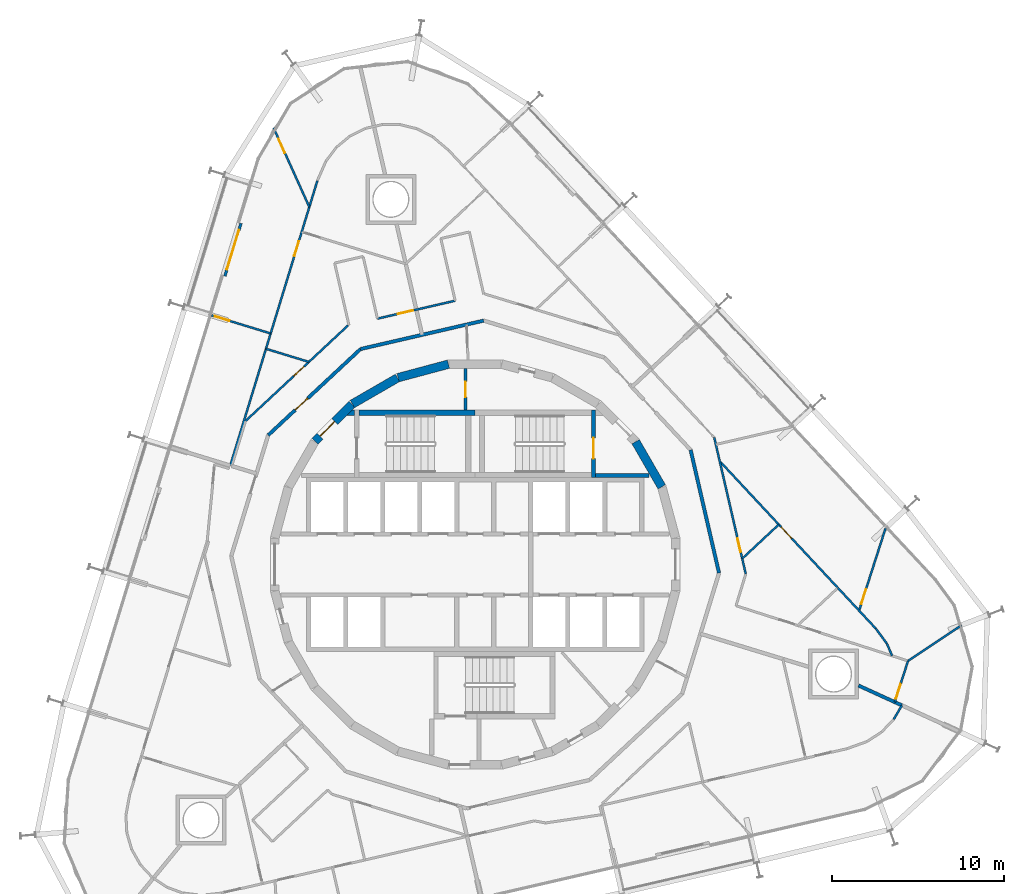
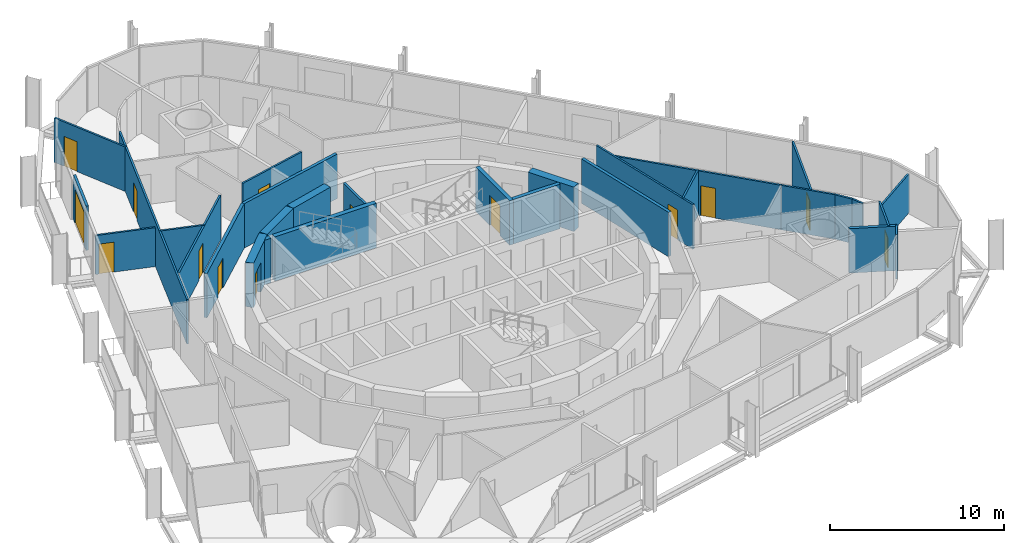
# One storey, part 15 of 18: 30 walls, 14 doors, 14 openings.
"""IFC4 building model written with IfcOpenShell, lengths in metres."""

from ifc_helpers import new_model, si_unit, direction, frame, frame_2d, origin, place, context, subcontext, project, spatial, polyline, rectangle, outline, extrude, material, layer, layer_set, type_object, element, fill, save


model = new_model("IFC4")

# Units and contexts
model_context = context("Model", 3, precision=1e-05, world=origin(), true_north=direction((0.0, 1.0)))
body_context = subcontext(model_context, "Body", "Model", "MODEL_VIEW")
ifc_project = project(units=[si_unit("LENGTHUNIT", "METRE"), si_unit("AREAUNIT", "SQUARE_METRE"), si_unit("VOLUMEUNIT", "CUBIC_METRE"), si_unit("PLANEANGLEUNIT", "RADIAN"), si_unit("MASSUNIT", "GRAM", prefix="KILO")], contexts=[model_context])

# Site, building, storey
site_placement = place(None, origin())
site = spatial("IfcSite", under=ifc_project, at=site_placement, CompositionType="ELEMENT")
building_placement = place(site_placement, origin())
building = spatial("IfcBuilding", under=site, at=building_placement, Name="Spindle Arch Residences", CompositionType="ELEMENT")
storey_placement = place(building_placement, frame((0.0, 0.0, 120.39990234375)))
storey = spatial("IfcBuildingStorey", under=building, at=storey_placement, Name="L29", CompositionType="ELEMENT", Elevation=120.39990234375)

# Walls
ifc_material_1 = material(Name="Concrete C50/60", Category="concrete")
ifc_layer_1 = layer(ifc_material_1, 0.5)
ifc_layer_set_1 = layer_set([ifc_layer_1], Name="Core outline wall 500")
wall_type_1 = type_object("IfcWallType", Name="Core outline wall 500", PredefinedType="SHEAR", material=ifc_layer_set_1)
for number, where, z_axis, x_axis, name in (
    (1, (10.84521484375, 4.510498046875, 0.0), (0.0, 0.0, 1.0), (-0.500087131594, 0.865975092491, 0.0), "Core outline wall 8"),
    (2, (-1.5498046875, 11.642822265625, 0.0), (0.0, 0.0, 1.0), (-0.965948410781, -0.258734743916, 0.0), "Core outline wall 13"),
    (3, (-4.510498046875, 10.84521484375, 0.0), (0.0, 0.0, 1.0), (-0.865975092491, -0.500087131594, 0.0), "Core outline wall 14"),
):
    element("IfcWall", number, at=place(storey_placement, frame(where, z_axis=z_axis, x_axis=x_axis)), inside=storey, type_object=wall_type_1, Name=name, PredefinedType="SHEAR", context=body_context, shape_type="SweptSolid", body=[
        extrude(rectangle(XDim=3.03271484375, YDim=0.5, at=frame_2d((1.516357421875, 0.0))), origin(), (0.0, 0.0, 1.0), 3.1201171875),
    ])

# Wall, opening, door
wall_1_placement = place(storey_placement, frame((-7.163818359375, 9.30810546875, 0.0), z_axis=(0.0, 0.0, 1.0), x_axis=(-0.707106781187, -0.707106781187, 0.0)))
wall_1 = element("IfcWall", 4, at=wall_1_placement, inside=storey, type_object=wall_type_1, Name="Core outline wall 15", PredefinedType="SHEAR", context=body_context, shape_type="SweptSolid", body=[
    extrude(rectangle(XDim=3.032470703125, YDim=0.5, at=frame_2d((1.51611328125, 0.0))), origin(), (0.0, 0.0, 1.0), 3.1201171875),
])
opening_1_placement = place(wall_1_placement, frame((1.416259765625, 0.0, 0.0)))
opening_1 = element("IfcOpeningElement", 5, at=opening_1_placement, cuts=wall_1, Name="Opening R3A0-AD02", PredefinedType="OPENING", context=body_context, shape_type="SweptSolid", body=[
    extrude(rectangle(XDim=1.199951171875, YDim=2.10009765625, at=frame_2d((0.60009765625, 1.050048828125))), frame((0.0, 0.260009765625, 0.0), z_axis=(0.0, -1.0, 0.0), x_axis=(1.0, 0.0, 0.0)), (0.0, 0.0, 1.0), 0.52001953125),
])
ifc_material_2 = material(Name="Steel, fire-resisting door", Category="steel")
door_type_1 = type_object("IfcDoorType", Name="Stair airlock door 1200x2100", OperationType="SINGLE_SWING_LEFT", PredefinedType="DOOR", material=ifc_material_2)
door_1_placement = place(opening_1_placement, origin())
door_1 = element("IfcDoor", 6, at=door_1_placement, inside=storey, type_object=door_type_1, Name="Stair airlock door R3A0-AD02", OperationType="SINGLE_SWING_RIGHT", OverallHeight=2.10009765625, OverallWidth=1.199951171875, PredefinedType="DOOR", context=body_context, shape_type="SweptSolid", body=[
    extrude(rectangle(XDim=1.199951171875, YDim=2.10009765625, at=frame_2d((0.60009765625, 1.050048828125))), frame((0.0, 0.02490234375, 0.0), z_axis=(0.0, -1.0, 0.0), x_axis=(1.0, 0.0, 0.0)), (0.0, 0.0, 1.0), 0.050048828125),
])
fill(opening_1, door_1)

# Walls
ifc_material_3 = material(Name="Calcium silicate block, plastered")
ifc_layer_2 = layer(ifc_material_3, 0.199951171875)
ifc_layer_set_2 = layer_set([ifc_layer_2], Name="Corridor wall 200")
wall_type_2 = type_object("IfcWallType", Name="Corridor wall 200", PredefinedType="STANDARD", material=ifc_layer_set_2)
for number, where, z_axis, x_axis, name in (
    (7, (14.174560546875, -0.4951171875, 0.0), (0.0, 0.0, 1.0), (-0.224922649383, 0.974376622151, 0.0), "Corridor wall R3A0-W005"),
    (8, (0.4951171875, 14.174560546875, 0.0), (0.0, 0.0, 1.0), (-0.974376622151, -0.224922649383, 0.0), "Corridor wall R3A0-W008"),
):
    element("IfcWall", number, at=place(storey_placement, frame(where, z_axis=z_axis, x_axis=x_axis)), inside=storey, type_object=wall_type_2, Name=name, PredefinedType="STANDARD", context=body_context, shape_type="SweptSolid", body=[
        extrude(rectangle(XDim=7.342041015625, YDim=0.199951171875, at=frame_2d((3.6708984375, 0.0))), origin(), (0.0, 0.0, 1.0), 3.1201171875),
    ])

# Wall, opening, door
wall_2_placement = place(storey_placement, frame((-6.65869140625, 12.523193359375, 0.0), z_axis=(0.0, 0.0, 1.0), x_axis=(-0.731350455479, -0.682001841105, 0.0)))
wall_2 = element("IfcWall", 9, at=wall_2_placement, inside=storey, type_object=wall_type_2, Name="Corridor wall R3A0-W009", PredefinedType="STANDARD", context=body_context, shape_type="SweptSolid", body=[
    extrude(rectangle(XDim=7.341796875, YDim=0.199951171875, at=frame_2d((3.6708984375, 0.0))), origin(), (0.0, 0.0, 1.0), 3.1201171875),
])
opening_2_placement = place(wall_2_placement, frame((4.199951171875, 0.0, 0.0)))
opening_2 = element("IfcOpeningElement", 10, at=opening_2_placement, cuts=wall_2, Name="Opening R3A0-FD03", PredefinedType="OPENING", context=body_context, shape_type="SweptSolid", body=[
    extrude(rectangle(XDim=1.0, YDim=2.10009765625, at=frame_2d((0.5, 1.050048828125))), frame((0.0, 0.10986328125, 0.0), z_axis=(0.0, -1.0, 0.0), x_axis=(1.0, 0.0, 0.0)), (0.0, 0.0, 1.0), 0.219970703125),
])
ifc_material_4 = material(Name="Timber, fire-resisting door set", Category="wood")
door_type_2 = type_object("IfcDoorType", Name="Flat entrance door 1000x2100", OperationType="NOTDEFINED", PredefinedType="DOOR", material=ifc_material_4)
door_2_placement = place(opening_2_placement, origin())
door_2 = element("IfcDoor", 11, at=door_2_placement, inside=storey, type_object=door_type_2, Name="Flat entrance door R3A0-FD03", OperationType="SINGLE_SWING_LEFT", OverallHeight=2.10009765625, OverallWidth=1.0, PredefinedType="DOOR", context=body_context, shape_type="SweptSolid", body=[
    extrude(rectangle(XDim=1.0, YDim=2.10009765625, at=frame_2d((0.5, 1.050048828125))), frame((0.0, 0.02490234375, 0.0), z_axis=(0.0, -1.0, 0.0), x_axis=(1.0, 0.0, 0.0)), (0.0, 0.0, 1.0), 0.050048828125),
])
fill(opening_2, door_2)

ifc_material_5 = material(Name="Plasterboard on steel studs", Category="steel")
ifc_layer_3 = layer(ifc_material_5, 0.1201171875)
ifc_layer_set_3 = layer_set([ifc_layer_3], Name="Flat partition 120")
wall_type_3 = type_object("IfcWallType", Name="Flat partition 120", PredefinedType="PARTITIONING", material=ifc_layer_set_3)
wall_3_placement = place(storey_placement, frame((15.7265625, -0.54931640625, 0.0), z_axis=(0.0, 0.0, 1.0), x_axis=(-0.22493611855, 0.974373512864, 0.0)))
wall_3 = element("IfcWall", 12, at=wall_3_placement, inside=storey, type_object=wall_type_3, Name="Flat partition R3A0-W030", PredefinedType="PARTITIONING", context=body_context, shape_type="SweptSolid", body=[
    extrude(rectangle(XDim=8.145751953125, YDim=0.1201171875, at=frame_2d((4.07275390625, 0.0))), origin(), (0.0, 0.0, 1.0), 3.1201171875),
])
opening_3_placement = place(wall_3_placement, frame((1.313720703125, 0.0, 0.0)))
opening_3 = element("IfcOpeningElement", 13, at=opening_3_placement, cuts=wall_3, Name="Opening R3A0-BD01", PredefinedType="OPENING", context=body_context, shape_type="SweptSolid", body=[
    extrude(rectangle(XDim=0.800048828125, YDim=2.10009765625, at=frame_2d((0.39990234375, 1.050048828125))), frame((0.0, 0.070068359375, 0.0), z_axis=(0.0, -1.0, 0.0), x_axis=(1.0, 0.0, 0.0)), (0.0, 0.0, 1.0), 0.14013671875),
])
ifc_material_6 = material(Name="Timber door set", Category="wood")
door_type_3 = type_object("IfcDoorType", Name="Bathroom door 800x2100", OperationType="NOTDEFINED", PredefinedType="DOOR", material=ifc_material_6)
door_3_placement = place(opening_3_placement, origin())
door_3 = element("IfcDoor", 14, at=door_3_placement, inside=storey, type_object=door_type_3, Name="Bathroom door R3A0-BD01", OperationType="SINGLE_SWING_LEFT", OverallHeight=2.10009765625, OverallWidth=0.800048828125, PredefinedType="DOOR", context=body_context, shape_type="SweptSolid", body=[
    extrude(rectangle(XDim=0.800048828125, YDim=2.10009765625, at=frame_2d((0.39990234375, 1.050048828125))), frame((0.0, 0.02490234375, 0.0), z_axis=(0.0, -1.0, 0.0), x_axis=(1.0, 0.0, 0.0)), (0.0, 0.0, 1.0), 0.050048828125),
])
fill(opening_3, door_3)

wall_4_placement = place(storey_placement, frame((24.388916015625, -7.997314453125, 0.0), z_axis=(0.0, 0.0, 1.0), x_axis=(0.305723184389, 0.952120441188, 0.0)))
wall_4 = element("IfcWall", 15, at=wall_4_placement, inside=storey, type_object=wall_type_3, Name="Flat partition R3A0-W032", PredefinedType="PARTITIONING", context=body_context, shape_type="SweptSolid", body=[
    extrude(rectangle(XDim=2.5146484375, YDim=0.1201171875, at=frame_2d((1.25732421875, 0.0))), origin(), (0.0, 0.0, 1.0), 3.1201171875),
])
opening_4_placement = place(wall_4_placement, frame((0.199951171875, 0.0, 0.0)))
opening_4 = element("IfcOpeningElement", 16, at=opening_4_placement, cuts=wall_4, Name="Opening R3A0-ID02", PredefinedType="OPENING", context=body_context, shape_type="SweptSolid", body=[
    extrude(rectangle(XDim=0.89990234375, YDim=2.10009765625, at=frame_2d((0.449951171875, 1.050048828125))), frame((0.0, 0.070068359375, 0.0), z_axis=(0.0, -1.0, 0.0), x_axis=(1.0, 0.0, 0.0)), (0.0, 0.0, 1.0), 0.14013671875),
])
ifc_material_7 = material(Name="Timber door set", Category="wood")
door_type_4 = type_object("IfcDoorType", Name="Room door 900x2100", OperationType="NOTDEFINED", PredefinedType="DOOR", material=ifc_material_7)
door_4_placement = place(opening_4_placement, origin())
door_4 = element("IfcDoor", 17, at=door_4_placement, inside=storey, type_object=door_type_4, Name="Room door R3A0-ID02", OperationType="SINGLE_SWING_LEFT", OverallHeight=2.10009765625, OverallWidth=0.89990234375, PredefinedType="DOOR", context=body_context, shape_type="SweptSolid", body=[
    extrude(rectangle(XDim=0.89990234375, YDim=2.10009765625, at=frame_2d((0.449951171875, 1.050048828125))), frame((0.0, 0.02490234375, 0.0), z_axis=(0.0, -1.0, 0.0), x_axis=(1.0, 0.0, 0.0)), (0.0, 0.0, 1.0), 0.050048828125),
])
fill(opening_4, door_4)

wall_5_placement = place(storey_placement, frame((14.21337890625, 6.005859375, 0.0), z_axis=(0.0, 0.0, 1.0), x_axis=(0.681982148724, -0.731368818601, 0.0)))
wall_5 = element("IfcWall", 18, at=wall_5_placement, inside=storey, type_object=wall_type_3, Name="Flat partition R3A0-W035", PredefinedType="PARTITIONING", context=body_context, shape_type="SweptSolid", body=[
    extrude(rectangle(XDim=10.06982421875, YDim=0.1201171875, at=frame_2d((5.034912109375, 0.0))), origin(), (0.0, 0.0, 1.0), 3.1201171875),
])
opening_5_placement = place(wall_5_placement, frame((5.235107421875, 0.0, 0.0)))
opening_5 = element("IfcOpeningElement", 19, at=opening_5_placement, cuts=wall_5, Name="Opening R3A0-ID04", PredefinedType="OPENING", context=body_context, shape_type="SweptSolid", body=[
    extrude(rectangle(XDim=0.89990234375, YDim=2.10009765625, at=frame_2d((0.449951171875, 1.050048828125))), frame((0.0, 0.070068359375, 0.0), z_axis=(0.0, -1.0, 0.0), x_axis=(1.0, 0.0, 0.0)), (0.0, 0.0, 1.0), 0.14013671875),
])
door_5_placement = place(opening_5_placement, origin())
door_5 = element("IfcDoor", 20, at=door_5_placement, inside=storey, type_object=door_type_4, Name="Room door R3A0-ID04", OperationType="SINGLE_SWING_LEFT", OverallHeight=2.10009765625, OverallWidth=0.89990234375, PredefinedType="DOOR", context=body_context, shape_type="SweptSolid", body=[
    extrude(rectangle(XDim=0.89990234375, YDim=2.10009765625, at=frame_2d((0.449951171875, 1.050048828125))), frame((0.0, 0.02490234375, 0.0), z_axis=(0.0, -1.0, 0.0), x_axis=(1.0, 0.0, 0.0)), (0.0, 0.0, 1.0), 0.050048828125),
])
fill(opening_5, door_5)

# Wall
wall_6_placement = place(storey_placement, frame((21.080810546875, -1.35888671875, 0.0), z_axis=(0.0, 0.0, 1.0), x_axis=(0.682046729342, -0.731308593545, 0.0)))
element("IfcWall", 21, at=wall_6_placement, inside=storey, type_object=wall_type_3, Name="Flat partition R3A0-W037", PredefinedType="PARTITIONING", context=body_context, shape_type="SweptSolid", body=[
    extrude(rectangle(XDim=3.236328125, YDim=0.1201171875, at=frame_2d((1.6181640625, 0.0))), origin(), (0.0, 0.0, 1.0), 3.1201171875),
])

# Wall, opening, door
wall_7_placement = place(storey_placement, frame((22.314453125, -2.681396484375, 0.0), z_axis=(0.0, 0.0, 1.0), x_axis=(0.305629733216, 0.952150443036, 0.0)))
wall_7 = element("IfcWall", 22, at=wall_7_placement, inside=storey, type_object=wall_type_3, Name="Flat partition R3A0-W038", PredefinedType="PARTITIONING", context=body_context, shape_type="SweptSolid", body=[
    extrude(rectangle(XDim=5.04052734375, YDim=0.1201171875, at=frame_2d((2.520263671875, 0.0))), origin(), (0.0, 0.0, 1.0), 3.1201171875),
])
opening_6_placement = place(wall_7_placement, frame((0.39990234375, 0.0, 0.0)))
opening_6 = element("IfcOpeningElement", 23, at=opening_6_placement, cuts=wall_7, Name="Opening R3A0-ID05", PredefinedType="OPENING", context=body_context, shape_type="SweptSolid", body=[
    extrude(rectangle(XDim=0.89990234375, YDim=2.10009765625, at=frame_2d((0.449951171875, 1.050048828125))), frame((0.0, 0.070068359375, 0.0), z_axis=(0.0, -1.0, 0.0), x_axis=(1.0, 0.0, 0.0)), (0.0, 0.0, 1.0), 0.14013671875),
])
door_6_placement = place(opening_6_placement, origin())
door_6 = element("IfcDoor", 24, at=door_6_placement, inside=storey, type_object=door_type_4, Name="Room door R3A0-ID05", OperationType="SINGLE_SWING_LEFT", OverallHeight=2.10009765625, OverallWidth=0.89990234375, PredefinedType="DOOR", context=body_context, shape_type="SweptSolid", body=[
    extrude(rectangle(XDim=0.89990234375, YDim=2.10009765625, at=frame_2d((0.449951171875, 1.050048828125))), frame((0.0, 0.02490234375, 0.0), z_axis=(0.0, -1.0, 0.0), x_axis=(1.0, 0.0, 0.0)), (0.0, 0.0, 1.0), 0.050048828125),
])
fill(opening_6, door_6)

# Walls
wall_8_placement = place(storey_placement, frame((15.52099609375, 0.341064453125, 0.0), z_axis=(0.0, 0.0, 1.0), x_axis=(0.73140706136, 0.681941134257, 0.0)))
element("IfcWall", 25, at=wall_8_placement, inside=storey, type_object=wall_type_3, Name="Flat partition R3A0-W039", PredefinedType="PARTITIONING", context=body_context, shape_type="SweptSolid", body=[
    extrude(rectangle(XDim=2.906982421875, YDim=0.1201171875, at=frame_2d((1.45361328125, 0.0))), origin(), (0.0, 0.0, 1.0), 3.1201171875),
])
wall_9_placement = place(storey_placement, frame((24.231201171875, -5.3056640625, 0.0), z_axis=(0.0, 0.0, 1.0), x_axis=(-0.390836600732, 0.92046007601, 0.0)))
element("IfcWall", 26, at=wall_9_placement, inside=storey, type_object=wall_type_3, Name="Flat partition R3A0-W041", PredefinedType="PARTITIONING", context=body_context, shape_type="SweptSolid", body=[
    extrude(rectangle(XDim=0.76513671875, YDim=0.1201171875, at=frame_2d((0.382568359375, 0.0))), origin(), (0.0, 0.0, 1.0), 3.1201171875),
])
wall_10_placement = place(storey_placement, frame((23.93212890625, -4.601318359375, 0.0), z_axis=(0.0, 0.0, 1.0), x_axis=(-0.592463335142, 0.805597415904, 0.0)))
element("IfcWall", 27, at=wall_10_placement, inside=storey, type_object=wall_type_3, Name="Flat partition R3A0-W042", PredefinedType="PARTITIONING", context=body_context, shape_type="SweptSolid", body=[
    extrude(rectangle(XDim=1.087158203125, YDim=0.1201171875, at=frame_2d((0.54345703125, 0.0))), origin(), (0.0, 0.0, 1.0), 3.1201171875),
])

# Wall, opening, door
wall_11_placement = place(storey_placement, frame((-1.16064453125, 15.331787109375, 0.0), z_axis=(0.0, 0.0, 1.0), x_axis=(-0.974373440078, -0.224936433845, 0.0)))
wall_11 = element("IfcWall", 28, at=wall_11_placement, inside=storey, type_object=wall_type_3, Name="Flat partition R3A0-W048", PredefinedType="PARTITIONING", context=body_context, shape_type="SweptSolid", body=[
    extrude(rectangle(XDim=4.6357421875, YDim=0.1201171875, at=frame_2d((2.31787109375, 0.0))), origin(), (0.0, 0.0, 1.0), 3.1201171875),
])
opening_7_placement = place(wall_11_placement, frame((2.51806640625, 0.0, 0.0)))
opening_7 = element("IfcOpeningElement", 29, at=opening_7_placement, cuts=wall_11, Name="Opening R3A0-ID12", PredefinedType="OPENING", context=body_context, shape_type="SweptSolid", body=[
    extrude(rectangle(XDim=0.89990234375, YDim=2.10009765625, at=frame_2d((0.449951171875, 1.050048828125))), frame((0.0, 0.070068359375, 0.0), z_axis=(0.0, -1.0, 0.0), x_axis=(1.0, 0.0, 0.0)), (0.0, 0.0, 1.0), 0.14013671875),
])
door_7_placement = place(opening_7_placement, origin())
door_7 = element("IfcDoor", 30, at=door_7_placement, inside=storey, type_object=door_type_4, Name="Room door R3A0-ID12", OperationType="SINGLE_SWING_LEFT", OverallHeight=2.10009765625, OverallWidth=0.89990234375, PredefinedType="DOOR", context=body_context, shape_type="SweptSolid", body=[
    extrude(rectangle(XDim=0.89990234375, YDim=2.10009765625, at=frame_2d((0.449951171875, 1.050048828125))), frame((0.0, 0.02490234375, 0.0), z_axis=(0.0, -1.0, 0.0), x_axis=(1.0, 0.0, 0.0)), (0.0, 0.0, 1.0), 0.050048828125),
])
fill(opening_7, door_7)

wall_12_placement = place(storey_placement, frame((-7.3876953125, 13.894287109375, 0.0), z_axis=(0.0, 0.0, 1.0), x_axis=(-0.731357186721, -0.681994622729, 0.0)))
wall_12 = element("IfcWall", 31, at=wall_12_placement, inside=storey, type_object=wall_type_3, Name="Flat partition R3A0-W062", PredefinedType="PARTITIONING", context=body_context, shape_type="SweptSolid", body=[
    extrude(rectangle(XDim=8.145751953125, YDim=0.1201171875, at=frame_2d((4.07275390625, 0.0))), origin(), (0.0, 0.0, 1.0), 3.1201171875),
])
opening_8_placement = place(wall_12_placement, frame((3.509033203125, 0.0, 0.0)))
opening_8 = element("IfcOpeningElement", 32, at=opening_8_placement, cuts=wall_12, Name="Opening R3A0-BD04", PredefinedType="OPENING", context=body_context, shape_type="SweptSolid", body=[
    extrude(rectangle(XDim=0.800048828125, YDim=2.10009765625, at=frame_2d((0.39990234375, 1.050048828125))), frame((0.0, 0.070068359375, 0.0), z_axis=(0.0, -1.0, 0.0), x_axis=(1.0, 0.0, 0.0)), (0.0, 0.0, 1.0), 0.14013671875),
])
door_8_placement = place(opening_8_placement, origin())
door_8 = element("IfcDoor", 33, at=door_8_placement, inside=storey, type_object=door_type_3, Name="Bathroom door R3A0-BD04", OperationType="SINGLE_SWING_LEFT", OverallHeight=2.10009765625, OverallWidth=0.800048828125, PredefinedType="DOOR", context=body_context, shape_type="SweptSolid", body=[
    extrude(rectangle(XDim=0.800048828125, YDim=2.10009765625, at=frame_2d((0.39990234375, 1.050048828125))), frame((0.0, 0.02490234375, 0.0), z_axis=(0.0, -1.0, 0.0), x_axis=(1.0, 0.0, 0.0)), (0.0, 0.0, 1.0), 0.050048828125),
])
fill(opening_8, door_8)

wall_13_placement = place(storey_placement, frame((-9.1689453125, 22.3095703125, 0.0), z_axis=(0.0, 0.0, 1.0), x_axis=(-0.29236145486, -0.956307889601, 0.0)))
wall_13 = element("IfcWall", 34, at=wall_13_placement, inside=storey, type_object=wall_type_3, Name="Flat partition R3A0-W068", PredefinedType="PARTITIONING", context=body_context, shape_type="SweptSolid", body=[
    extrude(rectangle(XDim=17.31591796875, YDim=0.1201171875, at=frame_2d((8.657958984375, 0.0))), origin(), (0.0, 0.0, 1.0), 3.1201171875),
])
opening_9_placement = place(wall_13_placement, frame((3.68310546875, 0.0, 0.0)))
opening_9 = element("IfcOpeningElement", 35, at=opening_9_placement, cuts=wall_13, Name="Opening R3A0-ID14", PredefinedType="OPENING", context=body_context, shape_type="SweptSolid", body=[
    extrude(rectangle(XDim=0.89990234375, YDim=2.10009765625, at=frame_2d((0.449951171875, 1.050048828125))), frame((0.0, 0.070068359375, 0.0), z_axis=(0.0, -1.0, 0.0), x_axis=(1.0, 0.0, 0.0)), (0.0, 0.0, 1.0), 0.14013671875),
])
door_9_placement = place(opening_9_placement, origin())
door_9 = element("IfcDoor", 36, at=door_9_placement, inside=storey, type_object=door_type_4, Name="Room door R3A0-ID14", OperationType="SINGLE_SWING_LEFT", OverallHeight=2.10009765625, OverallWidth=0.89990234375, PredefinedType="DOOR", context=body_context, shape_type="SweptSolid", body=[
    extrude(rectangle(XDim=0.89990234375, YDim=2.10009765625, at=frame_2d((0.449951171875, 1.050048828125))), frame((0.0, 0.02490234375, 0.0), z_axis=(0.0, -1.0, 0.0), x_axis=(1.0, 0.0, 0.0)), (0.0, 0.0, 1.0), 0.050048828125),
])
fill(opening_9, door_9)

wall_14_placement = place(storey_placement, frame((-11.716796875, 25.380615234375, 0.0), z_axis=(0.0, 0.0, 1.0), x_axis=(0.411493504767, -0.911412692217, 0.0)))
wall_14 = element("IfcWall", 37, at=wall_14_placement, inside=storey, type_object=wall_type_3, Name="Flat partition R3A0-W070", PredefinedType="PARTITIONING", context=body_context, shape_type="SweptSolid", body=[
    extrude(rectangle(XDim=5.052490234375, YDim=0.1201171875, at=frame_2d((2.5263671875, 0.0))), origin(), (0.0, 0.0, 1.0), 3.1201171875),
])
opening_10_placement = place(wall_14_placement, frame((0.699951171875, 0.0, 0.0)))
opening_10 = element("IfcOpeningElement", 38, at=opening_10_placement, cuts=wall_14, Name="Opening R3A0-ID15", PredefinedType="OPENING", context=body_context, shape_type="SweptSolid", body=[
    extrude(rectangle(XDim=0.89990234375, YDim=2.10009765625, at=frame_2d((0.449951171875, 1.050048828125))), frame((0.0, 0.070068359375, 0.0), z_axis=(0.0, -1.0, 0.0), x_axis=(1.0, 0.0, 0.0)), (0.0, 0.0, 1.0), 0.14013671875),
])
door_10_placement = place(opening_10_placement, origin())
door_10 = element("IfcDoor", 39, at=door_10_placement, inside=storey, type_object=door_type_4, Name="Room door R3A0-ID15", OperationType="SINGLE_SWING_LEFT", OverallHeight=2.10009765625, OverallWidth=0.89990234375, PredefinedType="DOOR", context=body_context, shape_type="SweptSolid", body=[
    extrude(rectangle(XDim=0.89990234375, YDim=2.10009765625, at=frame_2d((0.449951171875, 1.050048828125))), frame((0.0, 0.02490234375, 0.0), z_axis=(0.0, -1.0, 0.0), x_axis=(1.0, 0.0, 0.0)), (0.0, 0.0, 1.0), 0.050048828125),
])
fill(opening_10, door_10)

# Walls
wall_15_placement = place(storey_placement, frame((-12.15673828125, 12.53662109375, 0.0), z_axis=(0.0, 0.0, 1.0), x_axis=(0.956293441844, -0.292408708979, 0.0)))
element("IfcWall", 40, at=wall_15_placement, inside=storey, type_object=wall_type_3, Name="Flat partition R3A0-W071", PredefinedType="PARTITIONING", context=body_context, shape_type="SweptSolid", body=[
    extrude(rectangle(XDim=2.609130859375, YDim=0.1201171875, at=frame_2d((1.3046875, 0.0))), origin(), (0.0, 0.0, 1.0), 3.1201171875),
])
wall_16_placement = place(storey_placement, frame((24.8017578125, -8.18603515625, 0.0), z_axis=(0.0, 0.0, 1.0), x_axis=(-0.505043103481, -0.863094122113, 0.0)))
element("IfcWall", 41, at=wall_16_placement, inside=storey, type_object=wall_type_3, Name="Flat partition R3A0-W112", PredefinedType="PARTITIONING", context=body_context, shape_type="SweptSolid", body=[
    extrude(rectangle(XDim=0.945068359375, YDim=0.1201171875, at=frame_2d((0.47265625, 0.0))), origin(), (0.0, 0.0, 1.0), 3.1201171875),
])
ifc_material_8 = material(Name="Plasterboard on steel studs", Category="steel")
ifc_layer_4 = layer(ifc_material_8, 0.1201171875)
ifc_layer_set_4 = layer_set([ifc_layer_4], Name="Flat partition 120 under beam 2730")
wall_type_4 = type_object("IfcWallType", Name="Flat partition 120 under beam 2730", PredefinedType="PARTITIONING", material=ifc_layer_set_4)
wall_17_placement = place(storey_placement, frame((28.25927734375, -3.53466796875, 0.0), z_axis=(0.0, 0.0, 1.0), x_axis=(-0.831969683957, -0.554821092765, 0.0)))
element("IfcWall", 42, at=wall_17_placement, inside=storey, type_object=wall_type_4, Name="Flat partition R3A0-W040", PredefinedType="PARTITIONING", context=body_context, shape_type="SweptSolid", body=[
    extrude(rectangle(XDim=3.72802734375, YDim=0.1201171875, at=frame_2d((1.864013671875, 0.0))), origin(), (0.0, 0.0, 1.0), 2.72998046875),
])

# Wall, opening, door
wall_18_placement = place(storey_placement, frame((-15.32666015625, 14.481201171875, 0.0), z_axis=(0.0, 0.0, 1.0), x_axis=(0.956306810244, -0.292364985388, 0.0)))
wall_18 = element("IfcWall", 43, at=wall_18_placement, inside=storey, type_object=wall_type_4, Name="Flat partition R3A0-W072", PredefinedType="PARTITIONING", context=body_context, shape_type="SweptSolid", body=[
    extrude(rectangle(XDim=3.599853515625, YDim=0.1201171875, at=frame_2d((1.7998046875, 0.0))), origin(), (0.0, 0.0, 1.0), 2.72998046875),
])
opening_11_placement = place(wall_18_placement, frame((0.199951171875, 0.0, 0.0)))
opening_11 = element("IfcOpeningElement", 44, at=opening_11_placement, cuts=wall_18, Name="Opening R3A0-ID16", PredefinedType="OPENING", context=body_context, shape_type="SweptSolid", body=[
    extrude(rectangle(XDim=0.89990234375, YDim=2.10009765625, at=frame_2d((0.449951171875, 1.050048828125))), frame((0.0, 0.070068359375, 0.0), z_axis=(0.0, -1.0, 0.0), x_axis=(1.0, 0.0, 0.0)), (0.0, 0.0, 1.0), 0.14013671875),
])
door_11_placement = place(opening_11_placement, origin())
door_11 = element("IfcDoor", 45, at=door_11_placement, inside=storey, type_object=door_type_4, Name="Room door R3A0-ID16", OperationType="SINGLE_SWING_RIGHT", OverallHeight=2.10009765625, OverallWidth=0.89990234375, PredefinedType="DOOR", context=body_context, shape_type="SweptSolid", body=[
    extrude(rectangle(XDim=0.89990234375, YDim=2.10009765625, at=frame_2d((0.449951171875, 1.050048828125))), frame((0.0, 0.02490234375, 0.0), z_axis=(0.0, -1.0, 0.0), x_axis=(1.0, 0.0, 0.0)), (0.0, 0.0, 1.0), 0.050048828125),
])
fill(opening_11, door_11)

# Wall
ifc_material_9 = material(Name="Calcium silicate block, plastered")
ifc_layer_5 = layer(ifc_material_9, 0.199951171875)
ifc_layer_set_5 = layer_set([ifc_layer_5], Name="Flat party wall 200")
wall_type_5 = type_object("IfcWallType", Name="Flat party wall 200", PredefinedType="STANDARD", material=ifc_layer_set_5)
wall_19_placement = place(storey_placement, frame((22.280029296875, -7.033203125, 0.0), z_axis=(0.0, 0.0, 1.0), x_axis=(0.909468768003, -0.415772245378, 0.0)))
element("IfcWall", 46, at=wall_19_placement, inside=storey, type_object=wall_type_5, Name="Flat party wall R3A0-W018", PredefinedType="STANDARD", context=body_context, shape_type="SweptSolid", body=[
    extrude(rectangle(XDim=2.772705078125, YDim=0.199951171875, at=frame_2d((1.38623046875, 0.0))), origin(), (0.0, 0.0, 1.0), 3.1201171875),
])

# Wall, opening, door
ifc_material_10 = material(Name="Non-combustible mineral wool insulated aluminium faced external wall (K0)", Category="aluminium")
ifc_layer_6 = layer(ifc_material_10, 0.159912109375)
ifc_layer_set_6 = layer_set([ifc_layer_6], Name="Insulated external wall panel 160")
wall_type_6 = type_object("IfcWallType", Name="Insulated external wall panel 160", PredefinedType="STANDARD", material=ifc_layer_set_6)
wall_20_placement = place(storey_placement, frame((-13.608642578125, 19.8271484375, 0.0), z_axis=(0.0, 0.0, 1.0), x_axis=(-0.292348395078, -0.956311882126, 0.0)))
wall_20 = element("IfcWall", 47, at=wall_20_placement, inside=storey, type_object=wall_type_6, Name="External wall L29 bay 13", PredefinedType="STANDARD", context=body_context, shape_type="SweptSolid", body=[
    extrude(rectangle(XDim=3.2001953125, YDim=0.159912109375, at=frame_2d((1.60009765625, 0.0))), origin(), (0.0, 0.0, 1.0), 3.1201171875),
])
opening_12_placement = place(wall_20_placement, frame((0.39990234375, 0.0, 0.0)))
opening_12 = element("IfcOpeningElement", 48, at=opening_12_placement, cuts=wall_20, Name="Opening BD13", PredefinedType="OPENING", context=body_context, shape_type="SweptSolid", body=[
    extrude(rectangle(XDim=2.39990234375, YDim=2.39990234375, at=frame_2d((1.199951171875, 1.199951171875))), frame((0.0, 0.08984375, 0.0), z_axis=(0.0, -1.0, 0.0), x_axis=(1.0, 0.0, 0.0)), (0.0, 0.0, 1.0), 0.179931640625),
])
ifc_material_11 = material(Name="Bronze aluminium frame, tinted double glazing", Category="aluminium")
door_type_5 = type_object("IfcDoorType", Name="Sliding glazed balcony door 2400x2400", OperationType="DOUBLE_DOOR_SLIDING", PredefinedType="DOOR", material=ifc_material_11)
door_12_placement = place(opening_12_placement, origin())
door_12 = element("IfcDoor", 49, at=door_12_placement, inside=storey, type_object=door_type_5, Name="Balcony door BD13", OperationType="DOUBLE_DOOR_SLIDING", OverallHeight=2.39990234375, OverallWidth=2.39990234375, PredefinedType="DOOR", context=body_context, shape_type="SweptSolid", body=[
    extrude(rectangle(XDim=2.39990234375, YDim=2.39990234375, at=frame_2d((1.199951171875, 1.199951171875))), frame((0.0, 0.02490234375, 0.0), z_axis=(0.0, -1.0, 0.0), x_axis=(1.0, 0.0, 0.0)), (0.0, 0.0, 1.0), 0.050048828125),
])
fill(opening_12, door_12)

ifc_material_12 = material(Name="Concrete C25/30", Category="concrete")
ifc_layer_7 = layer(ifc_material_12, 0.14990234375)
ifc_layer_set_7 = layer_set([ifc_layer_7], Name="Service room partition 150")
wall_type_7 = type_object("IfcWallType", Name="Service room partition 150", PredefinedType="PARTITIONING", material=ifc_layer_set_7)
wall_21_placement = place(storey_placement, frame((-0.5615234375, 8.969970703125, 0.0), z_axis=(0.0, 0.0, 1.0), x_axis=(0.0, 1.0, 0.0)))
wall_21 = element("IfcWall", 50, at=wall_21_placement, inside=storey, type_object=wall_type_7, Name="Core service room partition", PredefinedType="PARTITIONING", context=body_context, shape_type="SweptSolid", body=[
    extrude(rectangle(XDim=2.42724609375, YDim=0.14990234375, at=frame_2d((1.213623046875, 0.0))), origin(), (0.0, 0.0, 1.0), 3.1201171875),
])
opening_13_placement = place(wall_21_placement, frame((0.763671875, 0.0, 0.0)))
opening_13 = element("IfcOpeningElement", 51, at=opening_13_placement, cuts=wall_21, Name="Opening R3A0-WD07", PredefinedType="OPENING", context=body_context, shape_type="SweptSolid", body=[
    extrude(rectangle(XDim=0.89990234375, YDim=2.10009765625, at=frame_2d((0.449951171875, 1.050048828125))), frame((0.0, 0.0849609375, 0.0), z_axis=(0.0, -1.0, 0.0), x_axis=(1.0, 0.0, 0.0)), (0.0, 0.0, 1.0), 0.169921875),
])
ifc_material_13 = material(Name="Steel, fire-resisting door", Category="steel")
door_type_6 = type_object("IfcDoorType", Name="Service room door 900x2100", OperationType="SINGLE_SWING_LEFT", PredefinedType="DOOR", material=ifc_material_13)
door_13_placement = place(opening_13_placement, origin())
door_13 = element("IfcDoor", 52, at=door_13_placement, inside=storey, type_object=door_type_6, Name="Service room door R3A0-WD07", OperationType="SINGLE_SWING_RIGHT", OverallHeight=2.10009765625, OverallWidth=0.89990234375, PredefinedType="DOOR", context=body_context, shape_type="SweptSolid", body=[
    extrude(rectangle(XDim=0.89990234375, YDim=2.10009765625, at=frame_2d((0.449951171875, 1.050048828125))), frame((0.0, 0.02490234375, 0.0), z_axis=(0.0, -1.0, 0.0), x_axis=(1.0, 0.0, 0.0)), (0.0, 0.0, 1.0), 0.050048828125),
])
fill(opening_13, door_13)

# Walls
ifc_material_14 = material(Name="Concrete C40/50", Category="concrete")
ifc_layer_8 = layer(ifc_material_14, 0.25)
ifc_layer_set_8 = layer_set([ifc_layer_8], Name="Stair airlock wall 250")
wall_type_8 = type_object("IfcWallType", Name="Stair airlock wall 250", PredefinedType="SHEAR", material=ifc_layer_set_8)
wall_22_placement = place(storey_placement, frame((7.0, 5.175048828125, 0.0), z_axis=(0.0, 0.0, 1.0), x_axis=(1.0, 0.0, 0.0)))
element("IfcWall", 53, at=wall_22_placement, inside=storey, type_object=wall_type_8, Name="Stair ST-1 airlock wall S", PredefinedType="SHEAR", context=body_context, shape_type="SweptSolid", body=[
    extrude(rectangle(XDim=3.10009765625, YDim=0.25, at=frame_2d((1.550048828125, 0.0))), origin(), (0.0, 0.0, 1.0), 3.1201171875),
])
ifc_material_15 = material(Name="Concrete C40/50", Category="concrete")
wall_type_9 = type_object("IfcWallType", Name="Stair airlock wall profile", PredefinedType="SHEAR", material=ifc_material_15)
wall_23_placement = place(storey_placement, origin())
element("IfcWall", 54, at=wall_23_placement, inside=storey, type_object=wall_type_9, Name="Stair ST-2 airlock wall N", PredefinedType="SHEAR", context=body_context, shape_type="SweptSolid", body=[
    extrude(outline(polyline([(-7.148193359375, 8.969970703125), (-7.0, 8.969970703125), (-7.0, 8.669921875), (-7.4482421875, 8.669921875), (-7.148193359375, 8.969970703125)])), origin(), (0.0, 0.0, 1.0), 3.1201171875),
])

# Wall, opening, door
ifc_material_16 = material(Name="Concrete C50/60", Category="concrete")
ifc_layer_9 = layer(ifc_material_16, 0.25)
ifc_layer_set_9 = layer_set([ifc_layer_9], Name="Stair enclosure wall 250")
wall_type_10 = type_object("IfcWallType", Name="Stair enclosure wall 250", PredefinedType="SHEAR", material=ifc_layer_set_9)
wall_24_placement = place(storey_placement, frame((6.875, 5.050048828125, 0.0), z_axis=(0.0, 0.0, 1.0), x_axis=(0.0, 1.0, 0.0)))
wall_24 = element("IfcWall", 55, at=wall_24_placement, inside=storey, type_object=wall_type_10, Name="Stair ST-1 door wall", PredefinedType="SHEAR", context=body_context, shape_type="SweptSolid", body=[
    extrude(rectangle(XDim=3.919921875, YDim=0.25, at=frame_2d((1.9599609375, 0.0))), origin(), (0.0, 0.0, 1.0), 3.1201171875),
])
opening_14_placement = place(wall_24_placement, frame((1.110107421875, 0.0, 0.0)))
opening_14 = element("IfcOpeningElement", 56, at=opening_14_placement, cuts=wall_24, Name="Opening R3A0-SD01", PredefinedType="OPENING", context=body_context, shape_type="SweptSolid", body=[
    extrude(rectangle(XDim=1.199951171875, YDim=2.10009765625, at=frame_2d((0.60009765625, 1.050048828125))), frame((0.0, 0.135009765625, 0.0), z_axis=(0.0, -1.0, 0.0), x_axis=(1.0, 0.0, 0.0)), (0.0, 0.0, 1.0), 0.27001953125),
])
ifc_material_17 = material(Name="Steel, fire-resisting door", Category="steel")
door_type_7 = type_object("IfcDoorType", Name="Stair door 1200x2100", OperationType="SINGLE_SWING_RIGHT", PredefinedType="DOOR", material=ifc_material_17)
door_14_placement = place(opening_14_placement, origin())
door_14 = element("IfcDoor", 57, at=door_14_placement, inside=storey, type_object=door_type_7, Name="Stair door R3A0-SD01", OperationType="SINGLE_SWING_LEFT", OverallHeight=2.10009765625, OverallWidth=1.199951171875, PredefinedType="DOOR", context=body_context, shape_type="SweptSolid", body=[
    extrude(rectangle(XDim=1.199951171875, YDim=2.10009765625, at=frame_2d((0.60009765625, 1.050048828125))), frame((0.0, 0.02490234375, 0.0), z_axis=(0.0, -1.0, 0.0), x_axis=(1.0, 0.0, 0.0)), (0.0, 0.0, 1.0), 0.050048828125),
])
fill(opening_14, door_14)

# Wall
ifc_material_18 = material(Name="Concrete C50/60", Category="concrete")
ifc_layer_10 = layer(ifc_material_18, 0.300048828125)
ifc_layer_set_10 = layer_set([ifc_layer_10], Name="Stair enclosure wall 300")
wall_type_11 = type_object("IfcWallType", Name="Stair enclosure wall 300", PredefinedType="SHEAR", material=ifc_layer_set_10)
wall_25_placement = place(storey_placement, frame((-6.75, 8.820068359375, 0.0), z_axis=(0.0, 0.0, 1.0), x_axis=(1.0, 0.0, 0.0)))
element("IfcWall", 58, at=wall_25_placement, inside=storey, type_object=wall_type_11, Name="Stair ST-2 enclosure wall N", PredefinedType="SHEAR", context=body_context, shape_type="SweptSolid", body=[
    extrude(rectangle(XDim=6.75, YDim=0.300048828125, at=frame_2d((3.375, 0.0))), origin(), (0.0, 0.0, 1.0), 3.1201171875),
])

save(model, "model.ifc")
